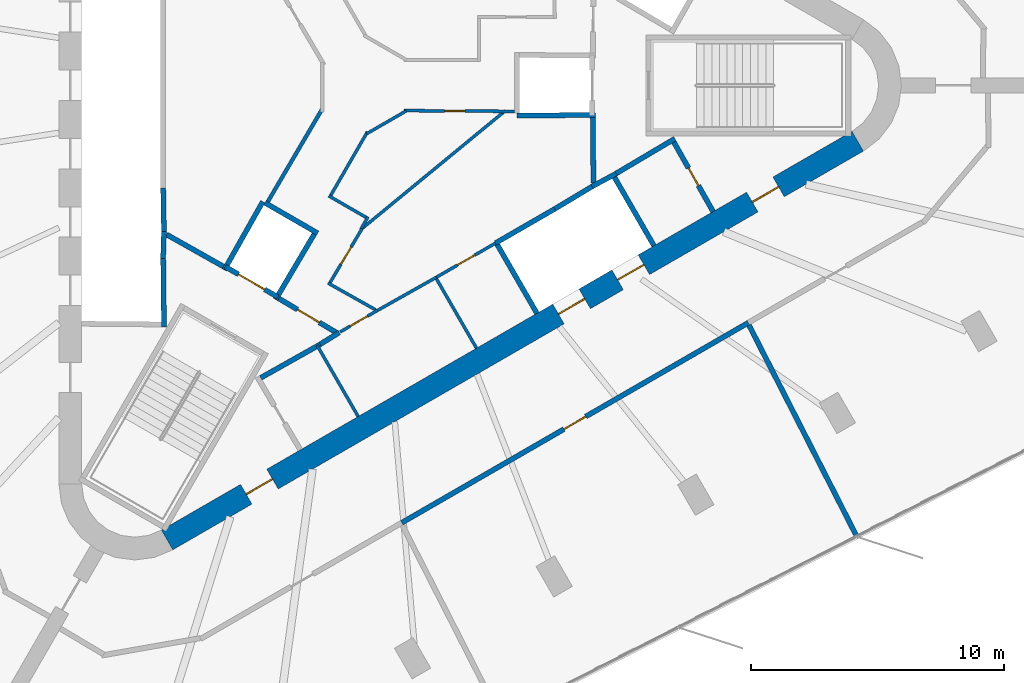
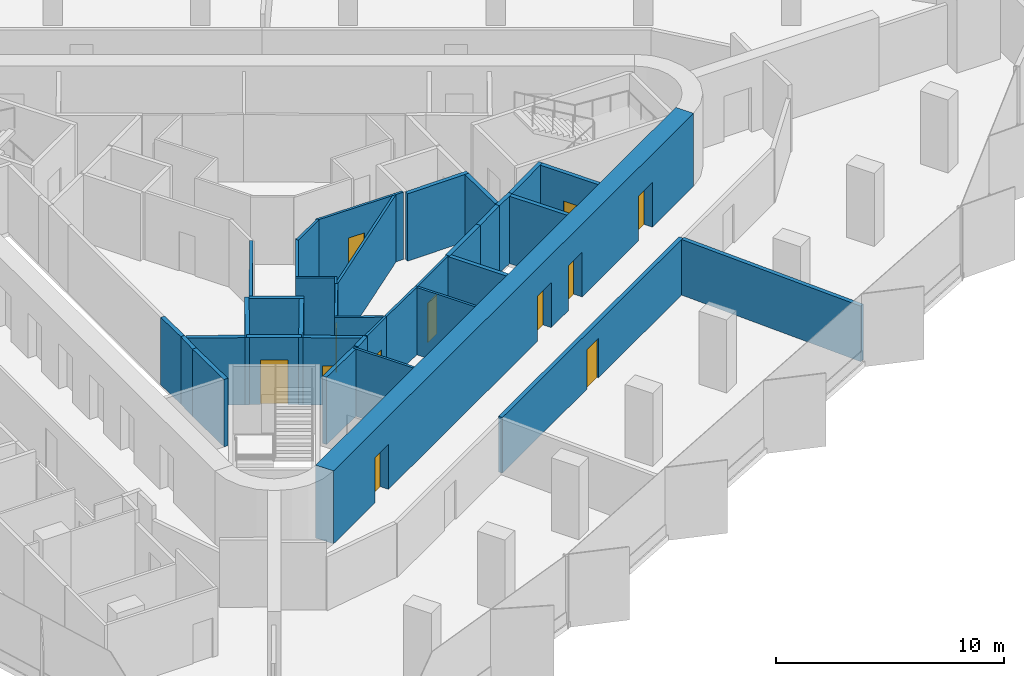
# One storey, part 9 of 13: 37 walls, 12 doors, 12 openings.
"""IFC4 building model written with IfcOpenShell, lengths in metres."""

from ifc_helpers import new_model, si_unit, direction, frame, frame_2d, origin, place, context, subcontext, project, spatial, rectangle, extrude, material, layer, layer_set, type_object, element, fill, save


model = new_model("IFC4")

# Units and contexts
model_context = context("Model", 3, precision=1e-05, world=origin(), true_north=direction((0.0, 1.0)))
body_context = subcontext(model_context, "Body", "Model", "MODEL_VIEW")
ifc_project = project(units=[si_unit("LENGTHUNIT", "METRE"), si_unit("AREAUNIT", "SQUARE_METRE"), si_unit("VOLUMEUNIT", "CUBIC_METRE"), si_unit("PLANEANGLEUNIT", "RADIAN"), si_unit("MASSUNIT", "GRAM", prefix="KILO")], contexts=[model_context])

# Site, building, storey
site_placement = place(None, origin())
site = spatial("IfcSite", under=ifc_project, at=site_placement, CompositionType="ELEMENT")
building_placement = place(site_placement, origin())
building = spatial("IfcBuilding", under=site, at=building_placement, Name="Tanit Gate Tower", CompositionType="ELEMENT")
storey_placement = place(building_placement, frame((0.0, 0.0, 310.39990234375)))
storey = spatial("IfcBuildingStorey", under=building, at=storey_placement, Name="L69", CompositionType="ELEMENT", Elevation=310.39990234375)

# Wall, openings, doors
ifc_material_1 = material(Name="Concrete C40/50", Category="concrete")
ifc_layer_1 = layer(ifc_material_1, 0.89990234375)
ifc_layer_set_1 = layer_set([ifc_layer_1], Name="CORE WALL 900 C40/50")
wall_type_1 = type_object("IfcWallType", Name="CORE WALL 900 C40/50", PredefinedType="SHEAR", material=ifc_layer_set_1)
wall_1_placement = place(storey_placement, frame((-7.824951171875, -17.969970703125, 0.0), z_axis=(0.0, 0.0, 1.0), x_axis=(0.866028369851, 0.499994862586, 0.0)))
wall_1 = element("IfcWall", 1, at=wall_1_placement, inside=storey, type_object=wall_type_1, Name="CORE WALL", PredefinedType="SHEAR", context=body_context, shape_type="SweptSolid", body=[
    extrude(rectangle(XDim=31.523193359375, YDim=0.89990234375, at=frame_2d((15.76171875, 0.0))), origin(), (0.0, 0.0, 1.0), 3.900146484375),
])
opening_1_placement = place(wall_1_placement, frame((17.861572265625, 0.0, 0.0)))
opening_1 = element("IfcOpeningElement", 2, at=opening_1_placement, cuts=wall_1, Name="Opening LDSV1-S19", PredefinedType="OPENING", context=body_context, shape_type="SweptSolid", body=[
    extrude(rectangle(XDim=1.199951171875, YDim=2.39990234375, at=frame_2d((0.60009765625, 1.199951171875))), frame((0.0, 0.4599609375, 0.0), z_axis=(0.0, -1.0, 0.0), x_axis=(1.0, 0.0, 0.0)), (0.0, 0.0, 1.0), 0.919921875),
])
opening_2_placement = place(wall_1_placement, frame((20.561767578125, 0.0, 0.0)))
opening_2 = element("IfcOpeningElement", 3, at=opening_2_placement, cuts=wall_1, Name="Opening LDSV2-S19", PredefinedType="OPENING", context=body_context, shape_type="SweptSolid", body=[
    extrude(rectangle(XDim=1.199951171875, YDim=2.39990234375, at=frame_2d((0.60009765625, 1.199951171875))), frame((0.0, 0.4599609375, 0.0), z_axis=(0.0, -1.0, 0.0), x_axis=(1.0, 0.0, 0.0)), (0.0, 0.0, 1.0), 0.919921875),
])
opening_3_placement = place(wall_1_placement, frame((26.711669921875, 0.0, 0.0)))
opening_3 = element("IfcOpeningElement", 4, at=opening_3_placement, cuts=wall_1, Name="Opening F12-S19-S1", PredefinedType="OPENING", context=body_context, shape_type="SweptSolid", body=[
    extrude(rectangle(XDim=1.199951171875, YDim=2.39990234375, at=frame_2d((0.60009765625, 1.199951171875))), frame((0.0, 0.4599609375, 0.0), z_axis=(0.0, -1.0, 0.0), x_axis=(1.0, 0.0, 0.0)), (0.0, 0.0, 1.0), 0.919921875),
])
opening_4_placement = place(wall_1_placement, frame((3.611572265625, 0.0, 0.0)))
opening_4 = element("IfcOpeningElement", 5, at=opening_4_placement, cuts=wall_1, Name="Opening F12-S19-FL3", PredefinedType="OPENING", context=body_context, shape_type="SweptSolid", body=[
    extrude(rectangle(XDim=1.199951171875, YDim=2.39990234375, at=frame_2d((0.60009765625, 1.199951171875))), frame((0.0, 0.4599609375, 0.0), z_axis=(0.0, -1.0, 0.0), x_axis=(1.0, 0.0, 0.0)), (0.0, 0.0, 1.0), 0.919921875),
])
ifc_material_2 = material(Name="Fire-rated steel door leaf", Category="steel")
door_type_1 = type_object("IfcDoorType", Name="INT-DOOR-FIRE-LOBBY-1200", OperationType="NOTDEFINED", PredefinedType="USERDEFINED", material=ifc_material_2)
door_1_placement = place(opening_3_placement, origin())
door_1 = element("IfcDoor", 6, at=door_1_placement, inside=storey, type_object=door_type_1, Name="Door F12-S19-S1", ObjectType="FIRE DOOR", OperationType="SINGLE_SWING_LEFT", OverallHeight=2.39990234375, OverallWidth=1.199951171875, PredefinedType="USERDEFINED", context=body_context, shape_type="SweptSolid", body=[
    extrude(rectangle(XDim=1.199951171875, YDim=2.39990234375, at=frame_2d((0.60009765625, 1.199951171875))), frame((0.0, 0.02490234375, 0.0), z_axis=(0.0, -1.0, 0.0), x_axis=(1.0, 0.0, 0.0)), (0.0, 0.0, 1.0), 0.050048828125),
])
fill(opening_3, door_1)
door_2_placement = place(opening_4_placement, origin())
door_2 = element("IfcDoor", 7, at=door_2_placement, inside=storey, type_object=door_type_1, Name="Door F12-S19-FL3", ObjectType="FIRE DOOR", OperationType="SINGLE_SWING_LEFT", OverallHeight=2.39990234375, OverallWidth=1.199951171875, PredefinedType="USERDEFINED", context=body_context, shape_type="SweptSolid", body=[
    extrude(rectangle(XDim=1.199951171875, YDim=2.39990234375, at=frame_2d((0.60009765625, 1.199951171875))), frame((0.0, 0.02490234375, 0.0), z_axis=(0.0, -1.0, 0.0), x_axis=(1.0, 0.0, 0.0)), (0.0, 0.0, 1.0), 0.050048828125),
])
fill(opening_4, door_2)
ifc_material_3 = material(Name="Stainless steel sliding door leaf", Category="steel")
door_type_2 = type_object("IfcDoorType", Name="INT-DOOR-LANDING-1200", OperationType="NOTDEFINED", PredefinedType="USERDEFINED", material=ifc_material_3)
door_3_placement = place(opening_1_placement, origin())
door_3 = element("IfcDoor", 8, at=door_3_placement, inside=storey, type_object=door_type_2, Name="Door LDSV1-S19", ObjectType="LANDING DOOR", OperationType="SLIDING_TO_LEFT", OverallHeight=2.39990234375, OverallWidth=1.199951171875, PredefinedType="USERDEFINED", context=body_context, shape_type="SweptSolid", body=[
    extrude(rectangle(XDim=1.199951171875, YDim=2.39990234375, at=frame_2d((0.60009765625, 1.199951171875))), frame((0.0, 0.02490234375, 0.0), z_axis=(0.0, -1.0, 0.0), x_axis=(1.0, 0.0, 0.0)), (0.0, 0.0, 1.0), 0.050048828125),
])
fill(opening_1, door_3)
door_4_placement = place(opening_2_placement, origin())
door_4 = element("IfcDoor", 9, at=door_4_placement, inside=storey, type_object=door_type_2, Name="Door LDSV2-S19", ObjectType="LANDING DOOR", OperationType="SLIDING_TO_LEFT", OverallHeight=2.39990234375, OverallWidth=1.199951171875, PredefinedType="USERDEFINED", context=body_context, shape_type="SweptSolid", body=[
    extrude(rectangle(XDim=1.199951171875, YDim=2.39990234375, at=frame_2d((0.60009765625, 1.199951171875))), frame((0.0, 0.02490234375, 0.0), z_axis=(0.0, -1.0, 0.0), x_axis=(1.0, 0.0, 0.0)), (0.0, 0.0, 1.0), 0.050048828125),
])
fill(opening_2, door_4)

# Walls
ifc_material_4 = material(Name="Fire-rated gypsum board partition")
ifc_layer_2 = layer(ifc_material_4, 0.199951171875)
ifc_layer_set_2 = layer_set([ifc_layer_2], Name="INT-WALL-COMPARTMENT")
wall_type_2 = type_object("IfcWallType", Name="INT-WALL-COMPARTMENT", PredefinedType="PARTITIONING", material=ifc_layer_set_2)
wall_2_placement = place(storey_placement, frame((-1.7685546875, -10.23681640625, 0.0), z_axis=(0.0, 0.0, 1.0), x_axis=(-0.871534483978, -0.490334215854, 0.0)))
element("IfcWall", 10, at=wall_2_placement, inside=storey, type_object=wall_type_2, Name="Wall Compartment W054", PredefinedType="PARTITIONING", context=body_context, shape_type="SweptSolid", body=[
    extrude(rectangle(XDim=2.7001953125, YDim=0.199951171875, at=frame_2d((1.35009765625, 0.0))), origin(), (0.0, 0.0, 1.0), 3.60009765625),
])
wall_3_placement = place(storey_placement, frame((-1.02392578125, -9.77099609375, 0.0), z_axis=(0.0, 0.0, 1.0), x_axis=(-0.850348075135, -0.526220629693, 0.0)))
element("IfcWall", 11, at=wall_3_placement, inside=storey, type_object=wall_type_2, Name="Wall Compartment W056", PredefinedType="PARTITIONING", context=body_context, shape_type="SweptSolid", body=[
    extrude(rectangle(XDim=0.878173828125, YDim=0.199951171875, at=frame_2d((0.43896484375, 0.0))), origin(), (0.0, 0.0, 1.0), 3.60009765625),
])
wall_4_placement = place(storey_placement, frame((12.244873046875, -2.10888671875, 0.0), z_axis=(0.0, 0.0, 1.0), x_axis=(-0.860414880418, -0.509594185166, 0.0)))
element("IfcWall", 12, at=wall_4_placement, inside=storey, type_object=wall_type_2, Name="Wall Compartment W060", PredefinedType="PARTITIONING", context=body_context, shape_type="SweptSolid", body=[
    extrude(rectangle(XDim=2.7001953125, YDim=0.199951171875, at=frame_2d((1.35009765625, 0.0))), origin(), (0.0, 0.0, 1.0), 3.60009765625),
])

# Wall, opening, door
wall_5_placement = place(storey_placement, frame((13.758056640625, -4.989501953125, 0.0), z_axis=(0.0, 0.0, 1.0), x_axis=(-0.491993409184, 0.87059892334, 0.0)))
wall_5 = element("IfcWall", 13, at=wall_5_placement, inside=storey, type_object=wall_type_2, Name="Wall Compartment W061", PredefinedType="PARTITIONING", context=body_context, shape_type="SweptSolid", body=[
    extrude(rectangle(XDim=3.150146484375, YDim=0.199951171875, at=frame_2d((1.5751953125, 0.0))), origin(), (0.0, 0.0, 1.0), 3.60009765625),
])
opening_5_placement = place(wall_5_placement, frame((1.175048828125, 0.0, 0.0)))
opening_5 = element("IfcOpeningElement", 14, at=opening_5_placement, cuts=wall_5, Name="Opening R08-S19-19", PredefinedType="OPENING", context=body_context, shape_type="SweptSolid", body=[
    extrude(rectangle(XDim=0.800048828125, YDim=2.10009765625, at=frame_2d((0.39990234375, 1.050048828125))), frame((0.0, 0.10986328125, 0.0), z_axis=(0.0, -1.0, 0.0), x_axis=(1.0, 0.0, 0.0)), (0.0, 0.0, 1.0), 0.219970703125),
])
ifc_material_5 = material(Name="Timber door leaf", Category="wood")
door_type_3 = type_object("IfcDoorType", Name="INT-DOOR-RISER-800", OperationType="NOTDEFINED", PredefinedType="USERDEFINED", material=ifc_material_5)
door_5_placement = place(opening_5_placement, origin())
door_5 = element("IfcDoor", 15, at=door_5_placement, inside=storey, type_object=door_type_3, Name="Door R08-S19-19", ObjectType="FIRE DOOR", OperationType="SINGLE_SWING_RIGHT", OverallHeight=2.10009765625, OverallWidth=0.800048828125, PredefinedType="USERDEFINED", context=body_context, shape_type="SweptSolid", body=[
    extrude(rectangle(XDim=0.800048828125, YDim=2.10009765625, at=frame_2d((0.39990234375, 1.050048828125))), frame((0.0, 0.02490234375, 0.0), z_axis=(0.0, -1.0, 0.0), x_axis=(1.0, 0.0, 0.0)), (0.0, 0.0, 1.0), 0.050048828125),
])
fill(opening_5, door_5)

# Walls
for number, where, z_axis, x_axis, name in (
    (16, (9.02880859375, -3.8505859375, 0.0), (0.0, 0.0, 1.0), (-0.010784614026, 0.999941844359, 0.0), "Wall Compartment W062"),
    (17, (-7.84912109375, -5.893798828125, 0.0), (0.0, 0.0, 1.0), (0.871340486379, -0.490678873396, 0.0), "Wall Compartment W066"),
):
    element("IfcWall", number, at=place(storey_placement, frame(where, z_axis=z_axis, x_axis=x_axis)), inside=storey, type_object=wall_type_2, Name=name, PredefinedType="PARTITIONING", context=body_context, shape_type="SweptSolid", body=[
        extrude(rectangle(XDim=2.580810546875, YDim=0.199951171875, at=frame_2d((1.29052734375, 0.0))), origin(), (0.0, 0.0, 1.0), 3.60009765625),
    ])

# Wall, opening, door
wall_6_placement = place(storey_placement, frame((-3.400634765625, -8.43017578125, 0.0), z_axis=(0.0, 0.0, 1.0), x_axis=(0.860617791406, -0.509251428192, 0.0)))
wall_6 = element("IfcWall", 18, at=wall_6_placement, inside=storey, type_object=wall_type_2, Name="Wall Compartment W067", PredefinedType="PARTITIONING", context=body_context, shape_type="SweptSolid", body=[
    extrude(rectangle(XDim=2.709228515625, YDim=0.199951171875, at=frame_2d((1.3544921875, 0.0))), origin(), (0.0, 0.0, 1.0), 3.60009765625),
])
opening_6_placement = place(wall_6_placement, frame((0.848388671875, 0.0, 0.0)))
opening_6 = element("IfcOpeningElement", 19, at=opening_6_placement, cuts=wall_6, Name="Opening F10-S19-08", PredefinedType="OPENING", context=body_context, shape_type="SweptSolid", body=[
    extrude(rectangle(XDim=1.0, YDim=2.10009765625, at=frame_2d((0.5, 1.050048828125))), frame((0.0, 0.10986328125, 0.0), z_axis=(0.0, -1.0, 0.0), x_axis=(1.0, 0.0, 0.0)), (0.0, 0.0, 1.0), 0.219970703125),
])
ifc_material_6 = material(Name="Fire-rated steel door leaf", Category="steel")
door_type_4 = type_object("IfcDoorType", Name="INT-DOOR-FIRE-1000", OperationType="NOTDEFINED", PredefinedType="USERDEFINED", material=ifc_material_6)
door_6_placement = place(opening_6_placement, origin())
door_6 = element("IfcDoor", 20, at=door_6_placement, inside=storey, type_object=door_type_4, Name="Door F10-S19-08", ObjectType="FIRE DOOR", OperationType="SINGLE_SWING_LEFT", OverallHeight=2.10009765625, OverallWidth=1.0, PredefinedType="USERDEFINED", context=body_context, shape_type="SweptSolid", body=[
    extrude(rectangle(XDim=1.0, YDim=2.10009765625, at=frame_2d((0.5, 1.050048828125))), frame((0.0, 0.02490234375, 0.0), z_axis=(0.0, -1.0, 0.0), x_axis=(1.0, 0.0, 0.0)), (0.0, 0.0, 1.0), 0.050048828125),
])
fill(opening_6, door_6)

wall_7_placement = place(storey_placement, frame((1.451416015625, -17.290771484375, 0.0), z_axis=(0.0, 0.0, 1.0), x_axis=(0.866027540469, 0.499996299136, 0.0)))
wall_7 = element("IfcWall", 21, at=wall_7_placement, inside=storey, type_object=wall_type_2, Name="Wall Compartment W113", PredefinedType="PARTITIONING", context=body_context, shape_type="SweptSolid", body=[
    extrude(rectangle(XDim=15.8203125, YDim=0.199951171875, at=frame_2d((7.91015625, 0.0))), origin(), (0.0, 0.0, 1.0), 2.97021484375),
])
opening_7_placement = place(wall_7_placement, frame((7.398681640625, 0.0, 0.0)))
opening_7 = element("IfcOpeningElement", 22, at=opening_7_placement, cuts=wall_7, Name="Opening F10-S19-31", PredefinedType="OPENING", context=body_context, shape_type="SweptSolid", body=[
    extrude(rectangle(XDim=1.0, YDim=2.10009765625, at=frame_2d((0.5, 1.050048828125))), frame((0.0, 0.10986328125, 0.0), z_axis=(0.0, -1.0, 0.0), x_axis=(1.0, 0.0, 0.0)), (0.0, 0.0, 1.0), 0.219970703125),
])
door_7_placement = place(opening_7_placement, origin())
door_7 = element("IfcDoor", 23, at=door_7_placement, inside=storey, type_object=door_type_4, Name="Door F10-S19-31", ObjectType="FIRE DOOR", OperationType="SINGLE_SWING_RIGHT", OverallHeight=2.10009765625, OverallWidth=1.0, PredefinedType="USERDEFINED", context=body_context, shape_type="SweptSolid", body=[
    extrude(rectangle(XDim=1.0, YDim=2.10009765625, at=frame_2d((0.5, 1.050048828125))), frame((0.0, 0.02490234375, 0.0), z_axis=(0.0, -1.0, 0.0), x_axis=(1.0, 0.0, 0.0)), (0.0, 0.0, 1.0), 0.050048828125),
])
fill(opening_7, door_7)

# Walls
wall_8_placement = place(storey_placement, frame((15.177978515625, -9.481201171875, 0.0), z_axis=(0.0, 0.0, 1.0), x_axis=(0.454314491878, -0.890841367736, 0.0)))
element("IfcWall", 24, at=wall_8_placement, inside=storey, type_object=wall_type_2, Name="Wall Compartment W135", PredefinedType="PARTITIONING", context=body_context, shape_type="SweptSolid", body=[
    extrude(rectangle(XDim=9.360595703125, YDim=0.199951171875, at=frame_2d((4.68017578125, 0.0))), origin(), (0.0, 0.0, 1.0), 2.97021484375),
])
ifc_material_7 = material(Name="Gypsum board partition")
ifc_layer_3 = layer(ifc_material_7, 0.1201171875)
ifc_layer_set_3 = layer_set([ifc_layer_3], Name="INT-WALL-PARTITION")
wall_type_3 = type_object("IfcWallType", Name="INT-WALL-PARTITION", PredefinedType="PARTITIONING", material=ifc_layer_set_3)
for number, where, z_axis, x_axis, name in (
    (25, (-1.896728515625, -10.27490234375, 0.0), (0.0, 0.0, 1.0), (0.499984717929, -0.866034226713, 0.0), "Wall Partition W052"),
    (26, (4.40478515625, -10.389404296875, 0.0), (0.0, 0.0, 1.0), (-0.500017246033, 0.866015446554, 0.0), "Wall Partition W055"),
):
    element("IfcWall", number, at=place(storey_placement, frame(where, z_axis=z_axis, x_axis=x_axis)), inside=storey, type_object=wall_type_3, Name=name, PredefinedType="PARTITIONING", context=body_context, shape_type="SweptSolid", body=[
        extrude(rectangle(XDim=3.25, YDim=0.1201171875, at=frame_2d((1.625, 0.0))), origin(), (0.0, 0.0, 1.0), 3.60009765625),
    ])
wall_9_placement = place(storey_placement, frame((0.493896484375, -8.895751953125, 0.0), z_axis=(0.0, 0.0, 1.0), x_axis=(0.871426548871, 0.490526013503, 0.0)))
element("IfcWall", 27, at=wall_9_placement, inside=storey, type_object=wall_type_3, Name="Wall Partition W057", PredefinedType="PARTITIONING", context=body_context, shape_type="SweptSolid", body=[
    extrude(rectangle(XDim=2.670166015625, YDim=0.1201171875, at=frame_2d((1.3349609375, 0.0))), origin(), (0.0, 0.0, 1.0), 3.60009765625),
])

# Wall, opening, door
wall_10_placement = place(storey_placement, frame((0.493408203125, -8.89501953125, 0.0), z_axis=(0.0, 0.0, 1.0), x_axis=(-0.866027945518, -0.499995597562, 0.0)))
wall_10 = element("IfcWall", 28, at=wall_10_placement, inside=storey, type_object=wall_type_3, Name="Wall Partition W058", PredefinedType="PARTITIONING", context=body_context, shape_type="SweptSolid", body=[
    extrude(rectangle(XDim=1.7021484375, YDim=0.1201171875, at=frame_2d((0.85107421875, 0.0))), origin(), (0.0, 0.0, 1.0), 3.60009765625),
])
opening_8_placement = place(wall_10_placement, frame((0.461181640625, 0.0, 0.0)))
opening_8 = element("IfcOpeningElement", 29, at=opening_8_placement, cuts=wall_10, Name="Opening R08-S19-17", PredefinedType="OPENING", context=body_context, shape_type="SweptSolid", body=[
    extrude(rectangle(XDim=0.800048828125, YDim=2.10009765625, at=frame_2d((0.39990234375, 1.050048828125))), frame((0.0, 0.070068359375, 0.0), z_axis=(0.0, -1.0, 0.0), x_axis=(1.0, 0.0, 0.0)), (0.0, 0.0, 1.0), 0.14013671875),
])
door_8_placement = place(opening_8_placement, origin())
door_8 = element("IfcDoor", 30, at=door_8_placement, inside=storey, type_object=door_type_3, Name="Door R08-S19-17", ObjectType="FIRE DOOR", OperationType="SINGLE_SWING_LEFT", OverallHeight=2.10009765625, OverallWidth=0.800048828125, PredefinedType="USERDEFINED", context=body_context, shape_type="SweptSolid", body=[
    extrude(rectangle(XDim=0.800048828125, YDim=2.10009765625, at=frame_2d((0.39990234375, 1.050048828125))), frame((0.0, 0.02490234375, 0.0), z_axis=(0.0, -1.0, 0.0), x_axis=(1.0, 0.0, 0.0)), (0.0, 0.0, 1.0), 0.050048828125),
])
fill(opening_8, door_8)

wall_11_placement = place(storey_placement, frame((2.82080078125, -7.5859375, 0.0), z_axis=(0.0, 0.0, 1.0), x_axis=(0.866019956843, 0.50000943426, 0.0)))
wall_11 = element("IfcWall", 31, at=wall_11_placement, inside=storey, type_object=wall_type_3, Name="Wall Partition W059", PredefinedType="PARTITIONING", context=body_context, shape_type="SweptSolid", body=[
    extrude(rectangle(XDim=2.7001953125, YDim=0.1201171875, at=frame_2d((1.35009765625, 0.0))), origin(), (0.0, 0.0, 1.0), 3.60009765625),
])
opening_9_placement = place(wall_11_placement, frame((0.949951171875, 0.0, 0.0)))
opening_9 = element("IfcOpeningElement", 32, at=opening_9_placement, cuts=wall_11, Name="Opening R08-S19-18", PredefinedType="OPENING", context=body_context, shape_type="SweptSolid", body=[
    extrude(rectangle(XDim=0.800048828125, YDim=2.10009765625, at=frame_2d((0.39990234375, 1.050048828125))), frame((0.0, 0.070068359375, 0.0), z_axis=(0.0, -1.0, 0.0), x_axis=(1.0, 0.0, 0.0)), (0.0, 0.0, 1.0), 0.14013671875),
])
door_9_placement = place(opening_9_placement, origin())
door_9 = element("IfcDoor", 33, at=door_9_placement, inside=storey, type_object=door_type_3, Name="Door R08-S19-18", ObjectType="FIRE DOOR", OperationType="SINGLE_SWING_RIGHT", OverallHeight=2.10009765625, OverallWidth=0.800048828125, PredefinedType="USERDEFINED", context=body_context, shape_type="SweptSolid", body=[
    extrude(rectangle(XDim=0.800048828125, YDim=2.10009765625, at=frame_2d((0.39990234375, 1.050048828125))), frame((0.0, 0.02490234375, 0.0), z_axis=(0.0, -1.0, 0.0), x_axis=(1.0, 0.0, 0.0)), (0.0, 0.0, 1.0), 0.050048828125),
])
fill(opening_9, door_9)

# Walls
wall_12_placement = place(storey_placement, frame((5.5478515625, -1.0, 0.0), z_axis=(0.0, 0.0, 1.0), x_axis=(-0.772345431507, -0.635202750648, 0.0)))
element("IfcWall", 34, at=wall_12_placement, inside=storey, type_object=wall_type_3, Name="Wall Partition W071", PredefinedType="PARTITIONING", context=body_context, shape_type="SweptSolid", body=[
    extrude(rectangle(XDim=7.41455078125, YDim=0.1201171875, at=frame_2d((3.707275390625, 0.0))), origin(), (0.0, 0.0, 1.0), 3.60009765625),
])
wall_13_placement = place(storey_placement, frame((-1.464111328125, -7.81591796875, 0.0), z_axis=(0.0, 0.0, 1.0), x_axis=(0.871859859416, -0.489755434416, 0.0)))
element("IfcWall", 35, at=wall_13_placement, inside=storey, type_object=wall_type_3, Name="Wall Partition W072", PredefinedType="PARTITIONING", context=body_context, shape_type="SweptSolid", body=[
    extrude(rectangle(XDim=2.154541015625, YDim=0.1201171875, at=frame_2d((1.0771484375, 0.0))), origin(), (0.0, 0.0, 1.0), 3.60009765625),
])

# Wall, opening, door
wall_14_placement = place(storey_placement, frame((-0.118896484375, -5.664306640625, 0.0), z_axis=(0.0, 0.0, 1.0), x_axis=(-0.509948384343, -0.860205001907, 0.0)))
wall_14 = element("IfcWall", 36, at=wall_14_placement, inside=storey, type_object=wall_type_3, Name="Wall Partition W073", PredefinedType="PARTITIONING", context=body_context, shape_type="SweptSolid", body=[
    extrude(rectangle(XDim=2.47509765625, YDim=0.1201171875, at=frame_2d((1.237548828125, 0.0))), origin(), (0.0, 0.0, 1.0), 3.60009765625),
])
opening_10_placement = place(wall_14_placement, frame((0.837646484375, 0.0, 0.0)))
opening_10 = element("IfcOpeningElement", 37, at=opening_10_placement, cuts=wall_14, Name="Opening R08-S19-11", PredefinedType="OPENING", context=body_context, shape_type="SweptSolid", body=[
    extrude(rectangle(XDim=0.800048828125, YDim=2.10009765625, at=frame_2d((0.39990234375, 1.050048828125))), frame((0.0, 0.070068359375, 0.0), z_axis=(0.0, -1.0, 0.0), x_axis=(1.0, 0.0, 0.0)), (0.0, 0.0, 1.0), 0.14013671875),
])
door_10_placement = place(opening_10_placement, origin())
door_10 = element("IfcDoor", 38, at=door_10_placement, inside=storey, type_object=door_type_3, Name="Door R08-S19-11", ObjectType="FIRE DOOR", OperationType="SINGLE_SWING_RIGHT", OverallHeight=2.10009765625, OverallWidth=0.800048828125, PredefinedType="USERDEFINED", context=body_context, shape_type="SweptSolid", body=[
    extrude(rectangle(XDim=0.800048828125, YDim=2.10009765625, at=frame_2d((0.39990234375, 1.050048828125))), frame((0.0, 0.02490234375, 0.0), z_axis=(0.0, -1.0, 0.0), x_axis=(1.0, 0.0, 0.0)), (0.0, 0.0, 1.0), 0.050048828125),
])
fill(opening_10, door_10)

wall_15_placement = place(storey_placement, frame((5.89990234375, -1.02880859375, 0.0), z_axis=(0.0, 0.0, 1.0), x_axis=(-0.999977012451, 0.006780454946, 0.0)))
wall_15 = element("IfcWall", 39, at=wall_15_placement, inside=storey, type_object=wall_type_3, Name="Wall Partition W074", PredefinedType="PARTITIONING", context=body_context, shape_type="SweptSolid", body=[
    extrude(rectangle(XDim=4.356689453125, YDim=0.1201171875, at=frame_2d((2.17822265625, 0.0))), origin(), (0.0, 0.0, 1.0), 3.60009765625),
])
opening_11_placement = place(wall_15_placement, frame((1.9541015625, 0.0, 0.0)))
opening_11 = element("IfcOpeningElement", 40, at=opening_11_placement, cuts=wall_15, Name="Opening R08-S19-12", PredefinedType="OPENING", context=body_context, shape_type="SweptSolid", body=[
    extrude(rectangle(XDim=0.800048828125, YDim=2.10009765625, at=frame_2d((0.39990234375, 1.050048828125))), frame((0.0, 0.070068359375, 0.0), z_axis=(0.0, -1.0, 0.0), x_axis=(1.0, 0.0, 0.0)), (0.0, 0.0, 1.0), 0.14013671875),
])
door_11_placement = place(opening_11_placement, origin())
door_11 = element("IfcDoor", 41, at=door_11_placement, inside=storey, type_object=door_type_3, Name="Door R08-S19-12", ObjectType="FIRE DOOR", OperationType="SINGLE_SWING_LEFT", OverallHeight=2.10009765625, OverallWidth=0.800048828125, PredefinedType="USERDEFINED", context=body_context, shape_type="SweptSolid", body=[
    extrude(rectangle(XDim=0.800048828125, YDim=2.10009765625, at=frame_2d((0.39990234375, 1.050048828125))), frame((0.0, 0.02490234375, 0.0), z_axis=(0.0, -1.0, 0.0), x_axis=(1.0, 0.0, 0.0)), (0.0, 0.0, 1.0), 0.050048828125),
])
fill(opening_11, door_11)

# Walls
wall_16_placement = place(storey_placement, frame((-0.14404296875, -5.6494140625, 0.0), z_axis=(0.0, 0.0, 1.0), x_axis=(0.499843319224, 0.866115844577, 0.0)))
element("IfcWall", 42, at=wall_16_placement, inside=storey, type_object=wall_type_3, Name="Wall Partition W075", PredefinedType="PARTITIONING", context=body_context, shape_type="SweptSolid", body=[
    extrude(rectangle(XDim=0.524658203125, YDim=0.1201171875, at=frame_2d((0.26220703125, 0.0))), origin(), (0.0, 0.0, 1.0), 3.60009765625),
])
wall_17_placement = place(storey_placement, frame((-1.43603515625, -4.3671875, 0.0), z_axis=(0.0, 0.0, 1.0), x_axis=(0.866087547558, -0.499892348375, 0.0)))
element("IfcWall", 43, at=wall_17_placement, inside=storey, type_object=wall_type_3, Name="Wall Partition W076", PredefinedType="PARTITIONING", context=body_context, shape_type="SweptSolid", body=[
    extrude(rectangle(XDim=1.699951171875, YDim=0.1201171875, at=frame_2d((0.85009765625, 0.0))), origin(), (0.0, 0.0, 1.0), 3.60009765625),
])
wall_18_placement = place(storey_placement, frame((0.09521484375, -1.8349609375, 0.0), z_axis=(0.0, 0.0, 1.0), x_axis=(-0.499980071345, -0.866036909293, 0.0)))
element("IfcWall", 44, at=wall_18_placement, inside=storey, type_object=wall_type_3, Name="Wall Partition W077", PredefinedType="PARTITIONING", context=body_context, shape_type="SweptSolid", body=[
    extrude(rectangle(XDim=2.8984375, YDim=0.1201171875, at=frame_2d((1.44921875, 0.0))), origin(), (0.0, 0.0, 1.0), 3.60009765625),
])
wall_19_placement = place(storey_placement, frame((1.629150390625, -1.009521484375, 0.0), z_axis=(0.0, 0.0, 1.0), x_axis=(-0.866046528967, -0.499963408325, 0.0)))
element("IfcWall", 45, at=wall_19_placement, inside=storey, type_object=wall_type_3, Name="Wall Partition W078", PredefinedType="PARTITIONING", context=body_context, shape_type="SweptSolid", body=[
    extrude(rectangle(XDim=1.812744140625, YDim=0.1201171875, at=frame_2d((0.90625, 0.0))), origin(), (0.0, 0.0, 1.0), 3.60009765625),
])
ifc_material_8 = material(Name="Fire-rated gypsum board partition")
ifc_layer_4 = layer(ifc_material_8, 0.14990234375)
ifc_layer_set_4 = layer_set([ifc_layer_4], Name="INT-WALL-RISER")
wall_type_4 = type_object("IfcWallType", Name="INT-WALL-RISER", PredefinedType="PLUMBINGWALL", material=ifc_layer_set_4)
wall_20_placement = place(storey_placement, frame((-3.841064453125, -4.59521484375, 0.0), z_axis=(0.0, 0.0, 1.0), x_axis=(0.505857207696, 0.862617229959, 0.0)))
element("IfcWall", 46, at=wall_20_placement, inside=storey, type_object=wall_type_4, Name="Wall Riser W070", PredefinedType="PLUMBINGWALL", context=body_context, shape_type="SweptSolid", body=[
    extrude(rectangle(XDim=4.231201171875, YDim=0.14990234375, at=frame_2d((2.11572265625, 0.0))), origin(), (0.0, 0.0, 1.0), 3.60009765625),
])
ifc_material_9 = material(Name="Gypsum shaft wall system")
ifc_layer_5 = layer(ifc_material_9, 0.199951171875)
ifc_layer_set_5 = layer_set([ifc_layer_5], Name="INT-WALL-SHAFT")
wall_type_5 = type_object("IfcWallType", Name="INT-WALL-SHAFT", PredefinedType="PLUMBINGWALL", material=ifc_layer_set_5)
wall_21_placement = place(storey_placement, frame((-7.949951171875, -5.7724609375, 0.0), z_axis=(0.0, 0.0, 1.0), x_axis=(-0.030803413295, -0.999525462272, 0.0)))
element("IfcWall", 47, at=wall_21_placement, inside=storey, type_object=wall_type_5, Name="Wall Shaft W008", PredefinedType="PLUMBINGWALL", context=body_context, shape_type="SweptSolid", body=[
    extrude(rectangle(XDim=1.077880859375, YDim=0.199951171875, at=frame_2d((0.5390625, 0.0))), origin(), (0.0, 0.0, 1.0), 3.60009765625),
])
wall_22_placement = place(storey_placement, frame((-7.97998046875, -4.050048828125, 0.0), z_axis=(0.0, 0.0, 1.0), x_axis=(0.016809909365, -0.999858703491, 0.0)))
element("IfcWall", 48, at=wall_22_placement, inside=storey, type_object=wall_type_5, Name="Wall Shaft W009", PredefinedType="PLUMBINGWALL", context=body_context, shape_type="SweptSolid", body=[
    extrude(rectangle(XDim=1.844482421875, YDim=0.199951171875, at=frame_2d((0.92236328125, 0.0))), origin(), (0.0, 0.0, 1.0), 3.60009765625),
])
wall_23_placement = place(storey_placement, frame((-7.97900390625, -6.85009765625, 0.0), z_axis=(0.0, 0.0, 1.0), x_axis=(0.011121475088, -0.999938154483, 0.0)))
element("IfcWall", 49, at=wall_23_placement, inside=storey, type_object=wall_type_5, Name="Wall Shaft W010", PredefinedType="PLUMBINGWALL", context=body_context, shape_type="SweptSolid", body=[
    extrude(rectangle(XDim=2.7001953125, YDim=0.199951171875, at=frame_2d((1.35009765625, 0.0))), origin(), (0.0, 0.0, 1.0), 3.60009765625),
])
wall_24_placement = place(storey_placement, frame((6.795166015625, -9.009521484375, 0.0), z_axis=(0.0, 0.0, 1.0), x_axis=(-0.499984717929, 0.866034226713, 0.0)))
element("IfcWall", 50, at=wall_24_placement, inside=storey, type_object=wall_type_5, Name="Wall Shaft W015", PredefinedType="PLUMBINGWALL", context=body_context, shape_type="SweptSolid", body=[
    extrude(rectangle(XDim=3.25, YDim=0.199951171875, at=frame_2d((1.625, 0.0))), origin(), (0.0, 0.0, 1.0), 3.60009765625),
])
wall_25_placement = place(storey_placement, frame((5.1591796875, -6.23583984375, 0.0), z_axis=(0.0, 0.0, 1.0), x_axis=(0.866036505625, 0.499980770555, 0.0)))
element("IfcWall", 51, at=wall_25_placement, inside=storey, type_object=wall_type_5, Name="Wall Shaft W016", PredefinedType="PLUMBINGWALL", context=body_context, shape_type="SweptSolid", body=[
    extrude(rectangle(XDim=2.69970703125, YDim=0.199951171875, at=frame_2d((1.349853515625, 0.0))), origin(), (0.0, 0.0, 1.0), 3.60009765625),
])
wall_26_placement = place(storey_placement, frame((9.794677734375, -3.52490234375, 0.0), z_axis=(0.0, 0.0, 1.0), x_axis=(0.499984717929, -0.866034226713, 0.0)))
element("IfcWall", 52, at=wall_26_placement, inside=storey, type_object=wall_type_5, Name="Wall Shaft W017", PredefinedType="PLUMBINGWALL", context=body_context, shape_type="SweptSolid", body=[
    extrude(rectangle(XDim=3.25, YDim=0.199951171875, at=frame_2d((1.625, 0.0))), origin(), (0.0, 0.0, 1.0), 3.60009765625),
])
wall_27_placement = place(storey_placement, frame((8.97412109375, -3.998779296875, 0.0), z_axis=(0.0, 0.0, 1.0), x_axis=(0.880907015104, 0.473289373154, 0.0)))
element("IfcWall", 53, at=wall_27_placement, inside=storey, type_object=wall_type_5, Name="Wall Shaft W018", PredefinedType="PLUMBINGWALL", context=body_context, shape_type="SweptSolid", body=[
    extrude(rectangle(XDim=1.078125, YDim=0.199951171875, at=frame_2d((0.5390625, 0.0))), origin(), (0.0, 0.0, 1.0), 3.60009765625),
])
wall_28_placement = place(storey_placement, frame((7.497314453125, -4.885986328125, 0.0), z_axis=(0.0, 0.0, 1.0), x_axis=(0.857516281273, 0.51445682749, 0.0)))
element("IfcWall", 54, at=wall_28_placement, inside=storey, type_object=wall_type_5, Name="Wall Shaft W019", PredefinedType="PLUMBINGWALL", context=body_context, shape_type="SweptSolid", body=[
    extrude(rectangle(XDim=1.8447265625, YDim=0.199951171875, at=frame_2d((0.92236328125, 0.0))), origin(), (0.0, 0.0, 1.0), 3.60009765625),
])
wall_29_placement = place(storey_placement, frame((9.10009765625, -1.1689453125, 0.0), z_axis=(0.0, 0.0, 1.0), x_axis=(-0.999949988, -0.010001074852, 0.0)))
element("IfcWall", 55, at=wall_29_placement, inside=storey, type_object=wall_type_5, Name="Wall Shaft W025", PredefinedType="PLUMBINGWALL", context=body_context, shape_type="SweptSolid", body=[
    extrude(rectangle(XDim=3.100341796875, YDim=0.199951171875, at=frame_2d((1.55029296875, 0.0))), origin(), (0.0, 0.0, 1.0), 3.60009765625),
])

# Wall, opening, door
wall_30_placement = place(storey_placement, frame((-3.44580078125, -8.3681640625, 0.0), z_axis=(0.0, 0.0, 1.0), x_axis=(-0.866024647952, 0.500001309137, 0.0)))
wall_30 = element("IfcWall", 56, at=wall_30_placement, inside=storey, type_object=wall_type_5, Name="Wall Shaft W040", PredefinedType="PLUMBINGWALL", context=body_context, shape_type="SweptSolid", body=[
    extrude(rectangle(XDim=2.39990234375, YDim=0.199951171875, at=frame_2d((1.199951171875, 0.0))), origin(), (0.0, 0.0, 1.0), 3.60009765625),
])
opening_12_placement = place(wall_30_placement, frame((0.60009765625, 0.0, 0.0)))
opening_12 = element("IfcOpeningElement", 57, at=opening_12_placement, cuts=wall_30, Name="Opening LDFL3-L69", PredefinedType="OPENING", context=body_context, shape_type="SweptSolid", body=[
    extrude(rectangle(XDim=1.199951171875, YDim=2.39990234375, at=frame_2d((0.60009765625, 1.199951171875))), frame((0.0, 0.10986328125, 0.0), z_axis=(0.0, -1.0, 0.0), x_axis=(1.0, 0.0, 0.0)), (0.0, 0.0, 1.0), 0.219970703125),
])
door_12_placement = place(opening_12_placement, origin())
door_12 = element("IfcDoor", 58, at=door_12_placement, inside=storey, type_object=door_type_2, Name="Door LDFL3-L69", ObjectType="LANDING DOOR", OperationType="SLIDING_TO_LEFT", OverallHeight=2.39990234375, OverallWidth=1.199951171875, PredefinedType="USERDEFINED", context=body_context, shape_type="SweptSolid", body=[
    extrude(rectangle(XDim=1.199951171875, YDim=2.39990234375, at=frame_2d((0.60009765625, 1.199951171875))), frame((0.0, 0.02490234375, 0.0), z_axis=(0.0, -1.0, 0.0), x_axis=(1.0, 0.0, 0.0)), (0.0, 0.0, 1.0), 0.050048828125),
])
fill(opening_12, door_12)

# Walls
wall_31_placement = place(storey_placement, frame((-5.5625, -7.29638671875, 0.0), z_axis=(0.0, 0.0, 1.0), x_axis=(0.491322718731, 0.870977603649, 0.0)))
element("IfcWall", 59, at=wall_31_placement, inside=storey, type_object=wall_type_5, Name="Wall Shaft W041", PredefinedType="PLUMBINGWALL", context=body_context, shape_type="SweptSolid", body=[
    extrude(rectangle(XDim=3.10009765625, YDim=0.199951171875, at=frame_2d((1.550048828125, 0.0))), origin(), (0.0, 0.0, 1.0), 3.60009765625),
])
wall_32_placement = place(storey_placement, frame((-3.95654296875, -4.643798828125, 0.0), z_axis=(0.0, 0.0, 1.0), x_axis=(0.865991127953, -0.500059362782, 0.0)))
element("IfcWall", 60, at=wall_32_placement, inside=storey, type_object=wall_type_5, Name="Wall Shaft W042", PredefinedType="PLUMBINGWALL", context=body_context, shape_type="SweptSolid", body=[
    extrude(rectangle(XDim=2.404541015625, YDim=0.199951171875, at=frame_2d((1.2021484375, 0.0))), origin(), (0.0, 0.0, 1.0), 3.60009765625),
])
wall_33_placement = place(storey_placement, frame((-2.01171875, -5.88232421875, 0.0), z_axis=(0.0, 0.0, 1.0), x_axis=(-0.508619639323, -0.860991325447, 0.0)))
element("IfcWall", 61, at=wall_33_placement, inside=storey, type_object=wall_type_5, Name="Wall Shaft W043", PredefinedType="PLUMBINGWALL", context=body_context, shape_type="SweptSolid", body=[
    extrude(rectangle(XDim=3.0, YDim=0.199951171875, at=frame_2d((1.5, 0.0))), origin(), (0.0, 0.0, 1.0), 3.60009765625),
])

save(model, "model.ifc")
